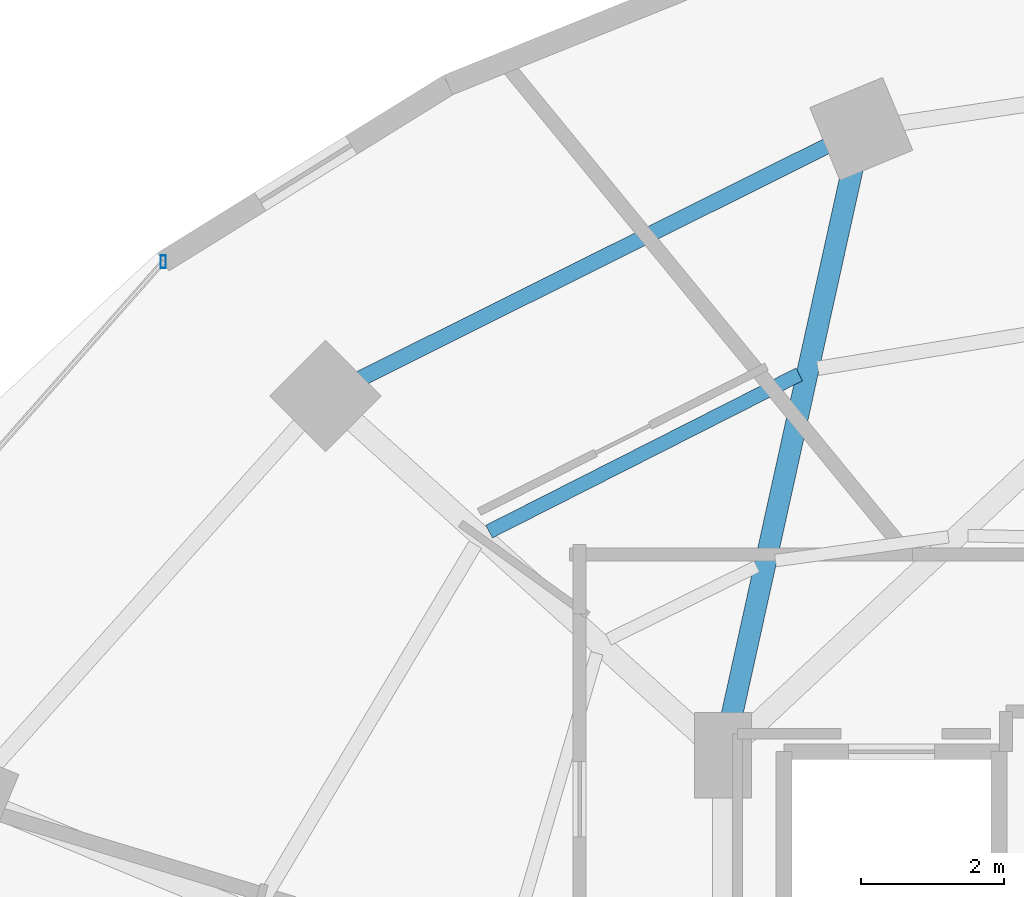
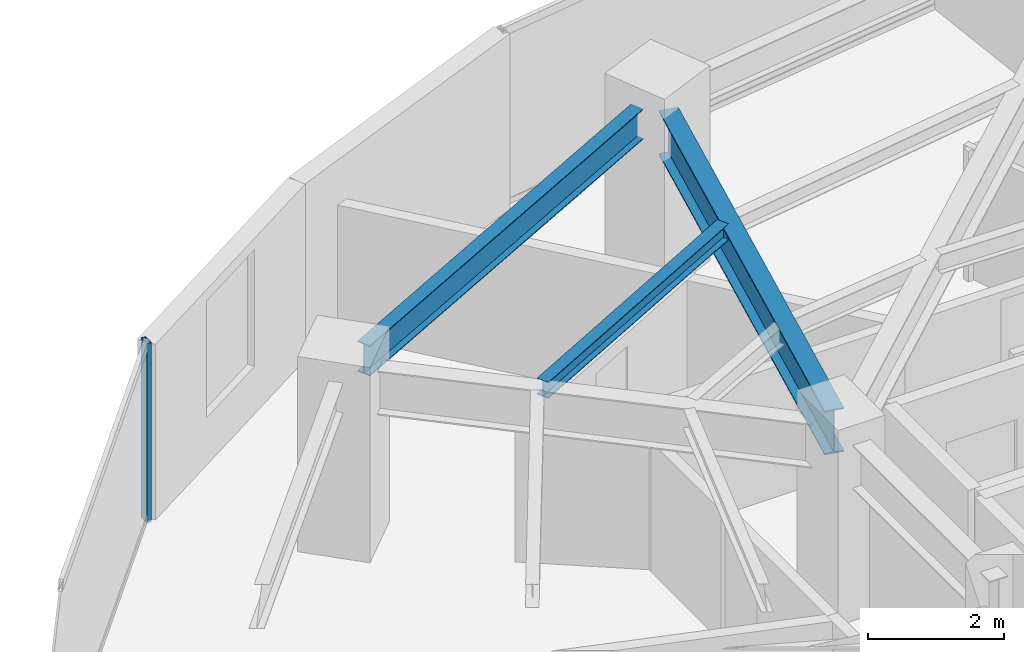
# One storey, part 16 of 29: 3 beams, 1 member, 1 element without a shape of its own.
"""IFC4 building model written with IfcOpenShell, lengths in metres."""

import ifcopenshell
import ifcopenshell.guid

model = None  # the IFC model being written
_history = None  # IfcOwnerHistory: only IFC2X3 demands one
_inside = {}  # id of a spatial element -> (the spatial element, [elements in it])
_under = {}  # id of a project, library or spatial element -> (it, [spatial elements below it])
_declared = {}  # id of a project -> (the project, [libraries it declares])
_typed = {}  # id of a type object -> (the type object, [elements of that type])
_made_of = {}  # id of a material, layer set ... -> (it, [elements and type objects made of it])


def new_model(schema):
    """Start an empty IFC model of exactly this schema.

    Asked for "IFC4X3", IfcOpenShell would pick the latest addendum, in which some entities
    have other attributes; the version numbers below select the first issue.
    IFC2X3 requires an IfcOwnerHistory on every rooted entity: one is made here for all.
    """
    global model, _history
    if schema == "IFC4X3":
        model = ifcopenshell.file(schema_version=(4, 3, 0, 0))
    else:
        model = ifcopenshell.file(schema=schema)
    _inside.clear()
    _under.clear()
    _declared.clear()
    _typed.clear()
    _made_of.clear()
    _history = None
    if model.schema == "IFC2X3":
        org = make("IfcOrganization", Name="unknown")
        user = make(
            "IfcPersonAndOrganization",
            ThePerson=make("IfcPerson", FamilyName="unknown"),
            TheOrganization=org,
        )
        app = make(
            "IfcApplication",
            ApplicationDeveloper=org,
            Version="unknown",
            ApplicationFullName="unknown",
            ApplicationIdentifier="unknown",
        )
        _history = make(
            "IfcOwnerHistory",
            OwningUser=user,
            OwningApplication=app,
            ChangeAction="ADDED",
            CreationDate=0,
        )
    return model


def make(cls, **values):
    """One entity of the class cls with the attributes given. An attribute that is None is left unset."""
    return model.create_entity(
        cls, **{name: value for name, value in values.items() if value is not None}
    )


def rooted(cls, **values):
    """An entity with a GlobalId (a new one), such as an element, a storey or a relation."""
    return make(cls, GlobalId=ifcopenshell.guid.new(), OwnerHistory=_history, **values)


def si_unit(unit_type, name, prefix=None):
    """IfcSIUnit, for example si_unit("LENGTHUNIT", "METRE", prefix="MILLI")."""
    return make("IfcSIUnit", UnitType=unit_type, Prefix=prefix, Name=name)


def assignment(units):
    """IfcUnitAssignment: the units of a project."""
    return None if units is None else make("IfcUnitAssignment", Units=units)


def point(xyz):
    """IfcCartesianPoint."""
    return None if xyz is None else make("IfcCartesianPoint", Coordinates=xyz)


def direction(xyz):
    """IfcDirection."""
    return None if xyz is None else make("IfcDirection", DirectionRatios=xyz)


def frame(location, z_axis=None, x_axis=None):
    """IfcAxis2Placement3D, a coordinate frame: its origin and axes. An axis left out is left unset."""
    return make(
        "IfcAxis2Placement3D",
        Location=point(location),
        Axis=direction(z_axis),
        RefDirection=direction(x_axis),
    )


def frame_2d(location, x_axis=None):
    """IfcAxis2Placement2D, a coordinate frame in the plane: its origin and x axis."""
    return make(
        "IfcAxis2Placement2D", Location=point(location), RefDirection=direction(x_axis)
    )


def origin():
    """The frame at (0, 0, 0) with its axes left unset."""
    return frame((0.0, 0.0, 0.0))


def origin_2d():
    """The frame at (0, 0) in the plane with its x axis left unset."""
    return frame_2d((0.0, 0.0))


def place(relative_to, where):
    """IfcLocalPlacement: puts the frame where relative to a parent placement (None: the world)."""
    return make(
        "IfcLocalPlacement", PlacementRelTo=relative_to, RelativePlacement=where
    )


def context(
    kind, dimensions, precision=None, world=None, true_north=None, identifier=None
):
    """IfcGeometricRepresentationContext, for example the 3D "Model" context."""
    return make(
        "IfcGeometricRepresentationContext",
        ContextIdentifier=identifier,
        ContextType=kind,
        CoordinateSpaceDimension=dimensions,
        Precision=precision,
        WorldCoordinateSystem=world,
        TrueNorth=true_north,
    )


def subcontext(parent, identifier, kind, view, scale=None):
    """IfcGeometricRepresentationSubContext, for example "Body" below "Model"."""
    return make(
        "IfcGeometricRepresentationSubContext",
        ContextIdentifier=identifier,
        ContextType=kind,
        ParentContext=parent,
        TargetScale=scale,
        TargetView=view,
    )


def project(units=None, contexts=None):
    """IfcProject with its units and contexts."""
    return rooted(
        "IfcProject",
        Name="project",
        RepresentationContexts=contexts,
        UnitsInContext=assignment(units),
    )


def spatial(cls, under=None, at=None, **own):
    """A site, building, storey or space (cls), placed at a placement, below another one or the project."""
    s = rooted(cls, ObjectPlacement=at, **own)
    if under is not None:
        _under.setdefault(under.id(), (under, []))[1].append(s)
    return s


def profile(cls, at=None, kind="AREA", **sizes):
    """A parametric profile (cls). Its sizes go by their IFC names, for example OverallWidth=200.0."""
    return make(cls, ProfileType=kind, Position=at, **sizes)


def hollow_rectangle(**sizes):
    """IfcRectangleHollowProfileDef."""
    return profile("IfcRectangleHollowProfileDef", **sizes)


def i_section(**sizes):
    """IfcIShapeProfileDef."""
    return profile("IfcIShapeProfileDef", **sizes)


def extrude(swept, where, along, depth):
    """IfcExtrudedAreaSolid: the profile swept, set in the frame where, extruded along a direction by depth."""
    return make(
        "IfcExtrudedAreaSolid",
        SweptArea=swept,
        Position=where,
        ExtrudedDirection=direction(along),
        Depth=depth,
    )


def shape(context_of_items, identifier, shape_type, items):
    """IfcShapeRepresentation: the items that make up one representation, for example the "Body"."""
    return make(
        "IfcShapeRepresentation",
        ContextOfItems=context_of_items,
        RepresentationIdentifier=identifier,
        RepresentationType=shape_type,
        Items=items,
    )


def material(Name=None, Category=None):
    """IfcMaterial."""
    return make("IfcMaterial", Name=Name, Category=Category)


def material_profile(
    of_material, cross_section, Name=None, Category=None, Priority=None
):
    """IfcMaterialProfile: a cross section and its material."""
    return make(
        "IfcMaterialProfile",
        Name=Name,
        Material=of_material,
        Profile=cross_section,
        Priority=Priority,
        Category=Category,
    )


def profile_set(profiles, Name=None, composite=None):
    """IfcMaterialProfileSet."""
    return make(
        "IfcMaterialProfileSet",
        Name=Name,
        MaterialProfiles=profiles,
        CompositeProfile=composite,
    )


def made_of(thing, what):
    """Note that an element or type object is made of a material, layer set ...; save() writes the relation."""
    if what is not None:
        _made_of.setdefault(what.id(), (what, []))[1].append(thing)
    return thing


def type_object(cls, material=None, **own):
    """A type object (cls), such as IfcWallType, which elements share."""
    return made_of(rooted(cls, **own), material)


def element(
    cls,
    number,
    at=None,
    inside=None,
    cuts=None,
    type_object=None,
    material=None,
    context=None,
    identifier="Body",
    shape_type=None,
    held_by="IfcProductDefinitionShape",
    body=None,
    shapes=None,
    **own,
):
    """One element of the class cls, such as IfcWall. Its Tag is "e" and its number.

    at: its placement. inside: the storey or other place that contains it. cuts: it is an
    opening in that element (IfcRelVoidsElement). A single representation is given by context,
    identifier, shape_type and body (its items); several are given by shapes. held_by: the class
    of the entity that holds the representations. save() writes the other relations.
    """
    e = rooted(cls, Tag="e%d" % number, ObjectPlacement=at, **own)
    if body is not None:
        shapes = [shape(context, identifier, shape_type, body)]
    if shapes is not None:
        e.Representation = make(held_by, Representations=shapes)
    if inside is not None:
        _inside.setdefault(inside.id(), (inside, []))[1].append(e)
    if cuts is not None:
        rooted(
            "IfcRelVoidsElement", RelatingBuildingElement=cuts, RelatedOpeningElement=e
        )
    if type_object is not None:
        _typed.setdefault(type_object.id(), (type_object, []))[1].append(e)
    return made_of(e, material)


def aggregate(whole, parts):
    """IfcRelAggregates: a whole, such as a stair, and the parts it consists of."""
    return rooted("IfcRelAggregates", RelatingObject=whole, RelatedObjects=parts)


def save(model, path):
    """Write the relations noted so far, then the file.

    IfcRelAggregates (storeys below a building ...), IfcRelContainedInSpatialStructure (elements
    in a storey), IfcRelDefinesByType, IfcRelAssociatesMaterial and IfcRelDeclares: one each for
    every whole, place, type object, material and project.
    """
    for whole, parts in _under.values():
        aggregate(whole, parts)
    for where, things in _inside.values():
        rooted(
            "IfcRelContainedInSpatialStructure",
            RelatedElements=things,
            RelatingStructure=where,
        )
    for kind, things in _typed.values():
        rooted("IfcRelDefinesByType", RelatedObjects=things, RelatingType=kind)
    for what, things in _made_of.values():
        rooted("IfcRelAssociatesMaterial", RelatedObjects=things, RelatingMaterial=what)
    for by, libraries in _declared.values():
        rooted("IfcRelDeclares", RelatingContext=by, RelatedDefinitions=libraries)
    model.write(path)


model = new_model("IFC4")

# Units and contexts
model_context = context("Model", 3, precision=1e-05, world=origin(), true_north=direction((0.0, 1.0)))
body_context = subcontext(model_context, "Body", "Model", "MODEL_VIEW")
ifc_project = project(units=[si_unit("LENGTHUNIT", "METRE"), si_unit("AREAUNIT", "SQUARE_METRE"), si_unit("VOLUMEUNIT", "CUBIC_METRE"), si_unit("PLANEANGLEUNIT", "RADIAN"), si_unit("MASSUNIT", "GRAM", prefix="KILO")], contexts=[model_context])

# Site, building, storey
site_placement = place(None, origin())
site = spatial("IfcSite", under=ifc_project, at=site_placement, CompositionType="ELEMENT")
building_placement = place(site_placement, origin())
building = spatial("IfcBuilding", under=site, at=building_placement, Name="Vorneva Point Tower", CompositionType="ELEMENT")
storey_placement = place(building_placement, frame((0.0, 0.0, 120.800048828125)))
storey = spatial("IfcBuildingStorey", under=building, at=storey_placement, Name="L32", CompositionType="ELEMENT", Elevation=120.800048828125)

# Beams
ifc_material_1 = material(Name="Steel S355", Category="steel")
ifc_material_profile_1 = material_profile(ifc_material_1, i_section(OverallWidth=0.300048828125, OverallDepth=0.7880859375, WebThickness=0.014404296875, FlangeThickness=0.02197265625, at=origin_2d()), Name="80Sh1")
ifc_profile_set_1 = profile_set([ifc_material_profile_1], Name="Steel S355")
beam_type_1 = type_object("IfcBeamType", Name="BM-GRD-80Sh1", PredefinedType="USERDEFINED", material=ifc_profile_set_1)
beam_1_placement = place(storey_placement, frame((29.063232421875, 41.365234375, 2.755859375), z_axis=(-0.215530944428, -0.976497010745, 0.0), x_axis=(0.976497010745, -0.215530944428, 0.0)))
element("IfcBeam", 1, at=beam_1_placement, inside=storey, type_object=beam_type_1, Name="L32 Radial Primary Girder 06", ObjectType="GIRDER", PredefinedType="USERDEFINED", context=body_context, shape_type="SweptSolid", body=[
    extrude(i_section(OverallWidth=0.300048828125, OverallDepth=0.7880859375, WebThickness=0.014404296875, FlangeThickness=0.02197265625, at=origin_2d()), origin(), (0.0, 0.0, 1.0), 8.072998046875),
])
ifc_material_profile_2 = material_profile(ifc_material_1, i_section(OverallWidth=0.199951171875, OverallDepth=0.291015625, WebThickness=0.008056640625, FlangeThickness=0.010986328125, at=origin_2d()), Name="30Sh1")
ifc_profile_set_2 = profile_set([ifc_material_profile_2], Name="Steel S355")
beam_type_2 = type_object("IfcBeamType", Name="BM-SEC-30Sh1", PredefinedType="BEAM", material=ifc_profile_set_2)
beam_2_placement = place(storey_placement, frame((28.313720703125, 38.46484375, 3.00439453125), z_axis=(-0.891957851433, -0.452118558862, 0.0), x_axis=(0.452118558862, -0.891957851433, 0.0)))
element("IfcBeam", 2, at=beam_2_placement, inside=storey, type_object=beam_type_2, Name="L32 Secondary Floor Beam 1.06", PredefinedType="BEAM", context=body_context, shape_type="SweptSolid", body=[
    extrude(i_section(OverallWidth=0.199951171875, OverallDepth=0.291015625, WebThickness=0.008056640625, FlangeThickness=0.010986328125, at=origin_2d()), origin(), (0.0, 0.0, 1.0), 4.851318359375),
])
ifc_material_profile_3 = material_profile(ifc_material_1, i_section(OverallWidth=0.219970703125, OverallDepth=0.54296875, WebThickness=0.009521484375, FlangeThickness=0.013427734375, at=origin_2d()), Name="55B1")
ifc_profile_set_3 = profile_set([ifc_material_profile_3], Name="Steel S355")
beam_type_3 = type_object("IfcBeamType", Name="BM-SPN-55B1", PredefinedType="SPANDREL", material=ifc_profile_set_3)
beam_3_placement = place(storey_placement, frame((28.7001953125, 41.652099609375, 2.87841796875), z_axis=(-0.894915882304, -0.446234874926, 0.0), x_axis=(0.446234874926, -0.894915882304, 0.0)))
element("IfcBeam", 3, at=beam_3_placement, inside=storey, type_object=beam_type_3, Name="L32 Perimeter Spandrel Ring Beam 06", PredefinedType="SPANDREL", context=body_context, shape_type="SweptSolid", body=[
    extrude(i_section(OverallWidth=0.219970703125, OverallDepth=0.54296875, WebThickness=0.009521484375, FlangeThickness=0.013427734375, at=origin_2d()), origin(), (0.0, 0.0, 1.0), 7.285888671875),
])

# Curtain wall, member
ifc_material_2 = material(Name="Pale anodised aluminium", Category="aluminium")
curtain_wall_type = type_object("IfcCurtainWallType", Name="CW-HTL-SYS", PredefinedType="NOTDEFINED", material=ifc_material_2)
curtain_wall_placement = place(storey_placement, origin())
curtain_wall = element("IfcCurtainWall", 4, at=curtain_wall_placement, inside=storey, type_object=curtain_wall_type, Name="L32 Unitised Curtain Wall CW-L32-R02", PredefinedType="NOTDEFINED")
ifc_material_profile_4 = material_profile(ifc_material_2, hollow_rectangle(XDim=0.074951171875, YDim=0.179931640625, WallThickness=0.00390625, at=origin_2d()), Name="AL-MUL 180x75x4")
ifc_profile_set_4 = profile_set([ifc_material_profile_4], Name="Pale anodised aluminium")
member_type = type_object("IfcMemberType", Name="CW-MUL-180", PredefinedType="MULLION", material=ifc_profile_set_4)
member_placement = place(storey_placement, frame((19.4384765625, 40.0361328125, -0.0400390625), z_axis=(0.0, 0.0, 1.0), x_axis=(1.0, 0.0, 0.0)))
member = element("IfcMember", 5, at=member_placement, type_object=member_type, Name="CW-L32-R02 Mullion 01", PredefinedType="MULLION", context=body_context, shape_type="SweptSolid", body=[
    extrude(hollow_rectangle(XDim=0.074951171875, YDim=0.179931640625, WallThickness=0.00390625, at=origin_2d()), origin(), (0.0, 0.0, 1.0), 3.219970703125),
])
aggregate(curtain_wall, [member])

save(model, "model.ifc")
